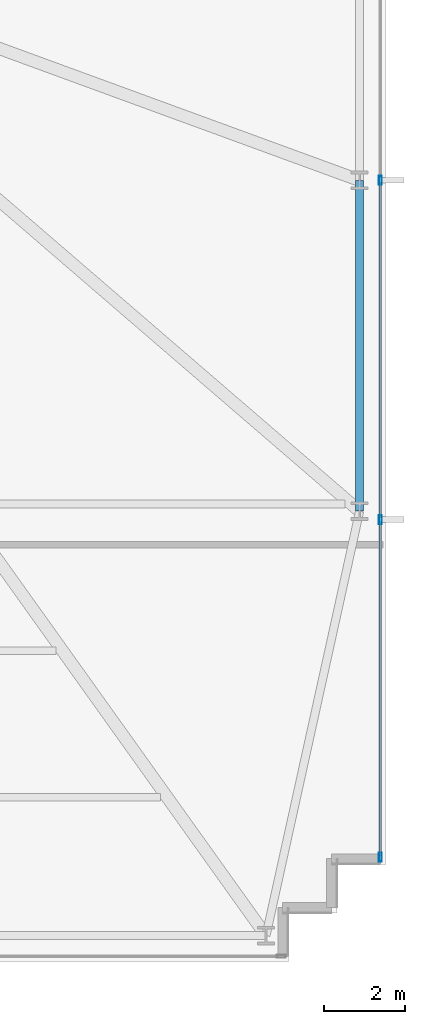
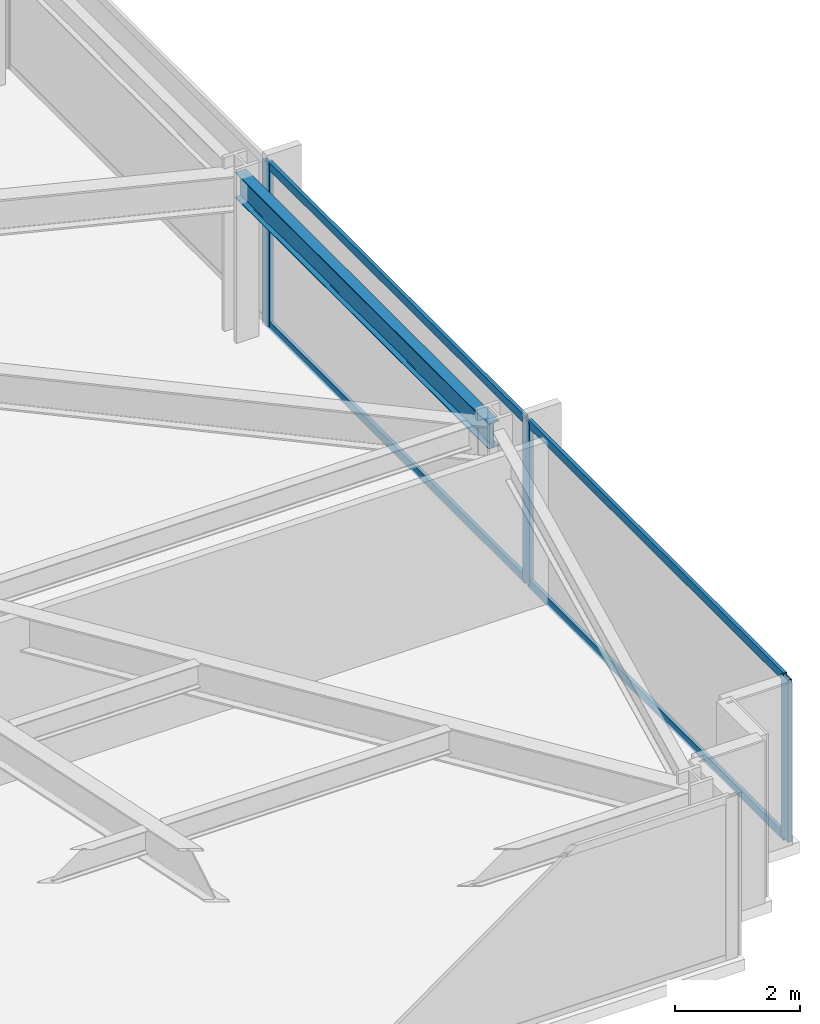
# One storey, part 22 of 33: 7 members, 1 beam, 1 element without a shape of its own.
"""IFC4 building model written with IfcOpenShell, lengths in metres."""

from ifc_helpers import new_model, si_unit, direction, frame, origin, origin_2d, place, context, subcontext, project, spatial, hollow_rectangle, i_section, extrude, material, material_profile, profile_set, type_object, element, aggregate, save


model = new_model("IFC4")

# Units and contexts
model_context = context("Model", 3, precision=1e-05, world=origin(), true_north=direction((0.0, 1.0)))
body_context = subcontext(model_context, "Body", "Model", "MODEL_VIEW")
ifc_project = project(units=[si_unit("LENGTHUNIT", "METRE"), si_unit("AREAUNIT", "SQUARE_METRE"), si_unit("VOLUMEUNIT", "CUBIC_METRE"), si_unit("PLANEANGLEUNIT", "RADIAN"), si_unit("MASSUNIT", "GRAM", prefix="KILO")], contexts=[model_context])

# Site, building, storey
site_placement = place(None, origin())
site = spatial("IfcSite", under=ifc_project, at=site_placement, CompositionType="ELEMENT")
building_placement = place(site_placement, origin())
building = spatial("IfcBuilding", under=site, at=building_placement, Name="Yelkora Congress Tower", CompositionType="ELEMENT")
storey_placement = place(building_placement, frame((0.0, 0.0, 71.199951171875)))
storey = spatial("IfcBuildingStorey", under=building, at=storey_placement, Name="L18", CompositionType="ELEMENT", Elevation=71.199951171875)

# Beam
ifc_material_1 = material(Name="Steel S355J2", Category="steel")
ifc_material_profile_1 = material_profile(ifc_material_1, i_section(OverallWidth=0.199951171875, OverallDepth=0.5, WebThickness=0.01025390625, FlangeThickness=0.01611328125, FilletRadius=0.02099609375, at=origin_2d()), Name="IPE 500")
ifc_profile_set_1 = profile_set([ifc_material_profile_1], Name="Steel S355J2")
beam_type = type_object("IfcBeamType", Name="BM-SPAN-IPE500", PredefinedType="SPANDREL", material=ifc_profile_set_1)
beam_placement = place(storey_placement, frame((70.14990234375, 21.27490234375, 2.929931640625), z_axis=(0.0, 1.0, 0.0), x_axis=(-1.0, 0.0, 0.0)))
element("IfcBeam", 1, at=beam_placement, inside=storey, type_object=beam_type, Name="L18 Perimeter Beam 11", PredefinedType="SPANDREL", context=body_context, shape_type="SweptSolid", body=[
    extrude(i_section(OverallWidth=0.199951171875, OverallDepth=0.5, WebThickness=0.01025390625, FlangeThickness=0.01611328125, FilletRadius=0.02099609375, at=origin_2d()), origin(), (0.0, 0.0, 1.0), 8.125),
])

# Curtain wall, members
ifc_material_2 = material(Name="Anodised aluminium and insulated glass", Category="aluminium")
curtain_wall_type = type_object("IfcCurtainWallType", Name="CW-SYS-B1", PredefinedType="NOTDEFINED", material=ifc_material_2)
curtain_wall_placement = place(storey_placement, origin())
curtain_wall = element("IfcCurtainWall", 2, at=curtain_wall_placement, inside=storey, type_object=curtain_wall_type, Name="L18 Unitised Curtain Wall 15", PredefinedType="NOTDEFINED")
ifc_material_3 = material(Name="Anodised aluminium 6063-T6", Category="aluminium")
ifc_material_profile_2 = material_profile(ifc_material_3, hollow_rectangle(XDim=0.074951171875, YDim=0.219970703125, WallThickness=0.0048828125, at=origin_2d()), Name="ALU 75x220x5")
ifc_profile_set_2 = profile_set([ifc_material_profile_2], Name="Anodised aluminium 6063-T6")
member_type_1 = type_object("IfcMemberType", Name="MEM-ML-B1", PredefinedType="MULLION", material=ifc_profile_set_2)
member_1_placement = place(storey_placement, frame((70.659912109375, 29.39990234375, 0.0), z_axis=(0.0, 0.0, 1.0), x_axis=(1.0, 0.0, 0.0)))
member_1 = element("IfcMember", 3, at=member_1_placement, type_object=member_type_1, Name="CW-B1 mullion 3", PredefinedType="MULLION", context=body_context, shape_type="SweptSolid", body=[
    extrude(hollow_rectangle(XDim=0.074951171875, YDim=0.219970703125, WallThickness=0.0048828125, at=origin_2d()), origin(), (0.0, 0.0, 1.0), 3.179931640625),
])
member_2_placement = place(storey_placement, frame((70.659912109375, 21.070068359375, 0.0), z_axis=(0.0, 0.0, 1.0), x_axis=(1.0, 0.0, 0.0)))
member_2 = element("IfcMember", 4, at=member_2_placement, type_object=member_type_1, Name="CW-B1 mullion 4", PredefinedType="MULLION", context=body_context, shape_type="SweptSolid", body=[
    extrude(hollow_rectangle(XDim=0.074951171875, YDim=0.219970703125, WallThickness=0.0048828125, at=origin_2d()), origin(), (0.0, 0.0, 1.0), 3.179931640625),
])
member_3_placement = place(storey_placement, frame((70.659912109375, 12.777587890625, 0.0), z_axis=(0.0, 0.0, 1.0), x_axis=(1.0, 0.0, 0.0)))
member_3 = element("IfcMember", 5, at=member_3_placement, type_object=member_type_1, Name="CW-B1 mullion 5", PredefinedType="MULLION", context=body_context, shape_type="SweptSolid", body=[
    extrude(hollow_rectangle(XDim=0.074951171875, YDim=0.219970703125, WallThickness=0.0048828125, at=origin_2d()), origin(), (0.0, 0.0, 1.0), 3.179931640625),
])
ifc_material_profile_3 = material_profile(ifc_material_3, hollow_rectangle(XDim=0.06494140625, YDim=0.159912109375, WallThickness=0.00390625, at=origin_2d()), Name="ALU 65x160x4")
ifc_profile_set_3 = profile_set([ifc_material_profile_3], Name="Anodised aluminium 6063-T6")
member_type_2 = type_object("IfcMemberType", Name="MEM-TR-B1", PredefinedType="USERDEFINED", material=ifc_profile_set_3)
member_4_placement = place(storey_placement, frame((70.659912109375, 29.362548828125, 0.032470703125), z_axis=(0.0, -1.0, 0.0), x_axis=(1.0, 0.0, 0.0)))
member_4 = element("IfcMember", 6, at=member_4_placement, type_object=member_type_2, Name="CW-B1 transom 3.1", ObjectType="TRANSOM", PredefinedType="USERDEFINED", context=body_context, shape_type="SweptSolid", body=[
    extrude(hollow_rectangle(XDim=0.06494140625, YDim=0.159912109375, WallThickness=0.00390625, at=origin_2d()), origin(), (0.0, 0.0, 1.0), 8.255126953125),
])
member_5_placement = place(storey_placement, frame((70.659912109375, 29.362548828125, 3.1474609375), z_axis=(0.0, -1.0, 0.0), x_axis=(1.0, 0.0, 0.0)))
member_5 = element("IfcMember", 7, at=member_5_placement, type_object=member_type_2, Name="CW-B1 transom 3.2", ObjectType="TRANSOM", PredefinedType="USERDEFINED", context=body_context, shape_type="SweptSolid", body=[
    extrude(hollow_rectangle(XDim=0.06494140625, YDim=0.159912109375, WallThickness=0.00390625, at=origin_2d()), origin(), (0.0, 0.0, 1.0), 8.255126953125),
])
member_6_placement = place(storey_placement, frame((70.659912109375, 21.032470703125, 0.032470703125), z_axis=(0.0, -1.0, 0.0), x_axis=(1.0, 0.0, 0.0)))
member_6 = element("IfcMember", 8, at=member_6_placement, type_object=member_type_2, Name="CW-B1 transom 4.1", ObjectType="TRANSOM", PredefinedType="USERDEFINED", context=body_context, shape_type="SweptSolid", body=[
    extrude(hollow_rectangle(XDim=0.06494140625, YDim=0.159912109375, WallThickness=0.00390625, at=origin_2d()), origin(), (0.0, 0.0, 1.0), 8.217529296875),
])
member_7_placement = place(storey_placement, frame((70.659912109375, 21.032470703125, 3.1474609375), z_axis=(0.0, -1.0, 0.0), x_axis=(1.0, 0.0, 0.0)))
member_7 = element("IfcMember", 9, at=member_7_placement, type_object=member_type_2, Name="CW-B1 transom 4.2", ObjectType="TRANSOM", PredefinedType="USERDEFINED", context=body_context, shape_type="SweptSolid", body=[
    extrude(hollow_rectangle(XDim=0.06494140625, YDim=0.159912109375, WallThickness=0.00390625, at=origin_2d()), origin(), (0.0, 0.0, 1.0), 8.217529296875),
])
aggregate(curtain_wall, [member_1, member_2, member_3, member_4, member_5, member_6, member_7])

save(model, "model.ifc")
